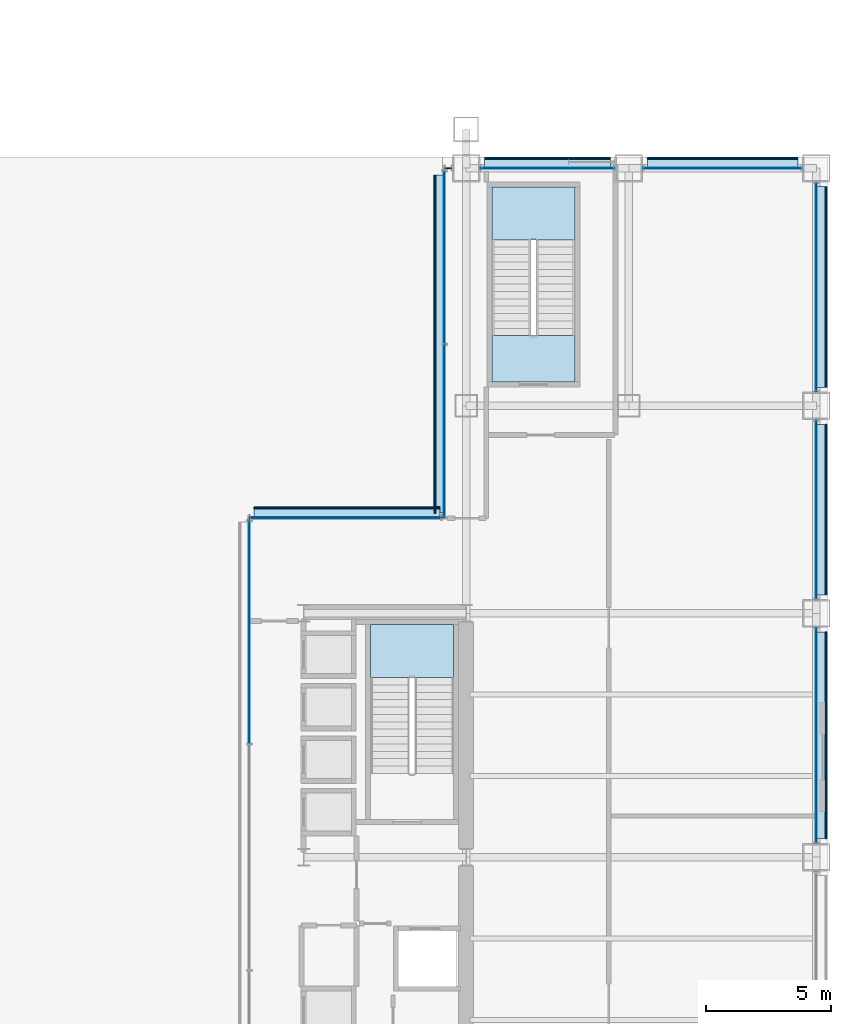
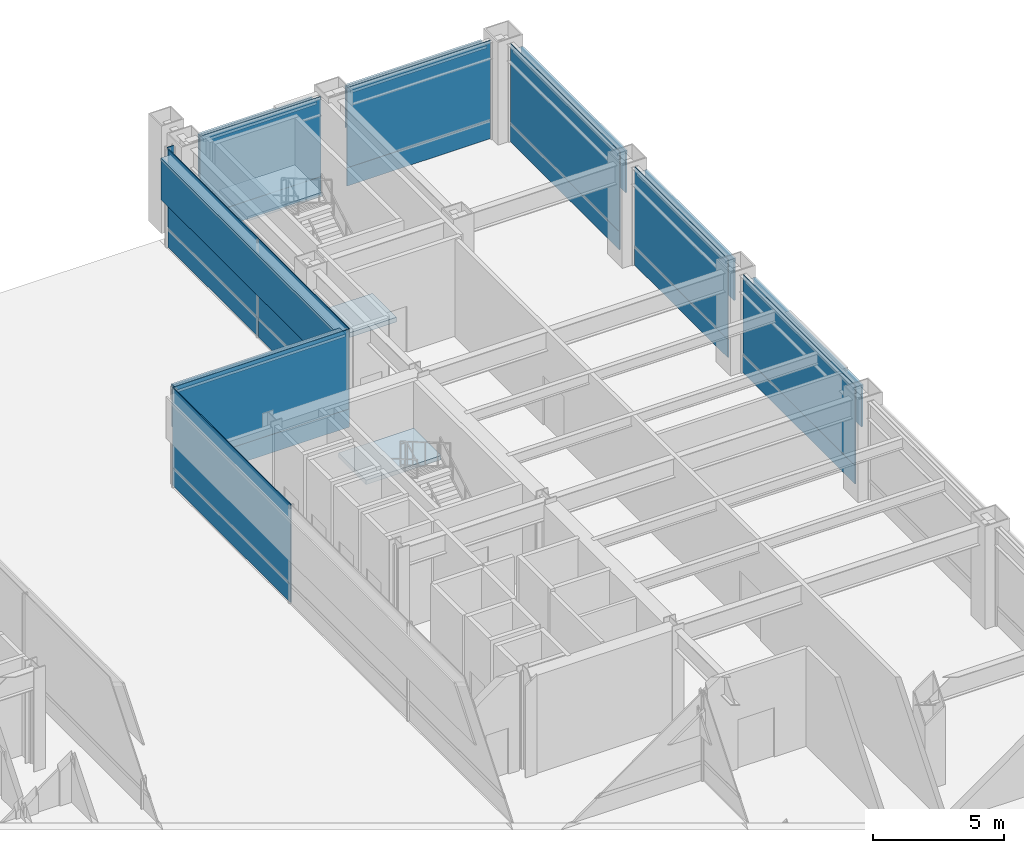
# One storey, part 27 of 37: 33 plates, 3 slabs, 11 elements without a shape of their own.
"""IFC4 building model written with IfcOpenShell, lengths in metres."""

from ifc_helpers import new_model, si_unit, direction, frame, origin, origin_2d, place, context, subcontext, project, spatial, polyline, rectangle, outline, extrude, material, layer, layer_set, type_object, element, aggregate, save


model = new_model("IFC4")

# Units and contexts
model_context = context("Model", 3, precision=1e-05, world=origin(), true_north=direction((0.0, 1.0)))
body_context = subcontext(model_context, "Body", "Model", "MODEL_VIEW")
ifc_project = project(units=[si_unit("LENGTHUNIT", "METRE"), si_unit("AREAUNIT", "SQUARE_METRE"), si_unit("VOLUMEUNIT", "CUBIC_METRE"), si_unit("PLANEANGLEUNIT", "RADIAN"), si_unit("MASSUNIT", "GRAM", prefix="KILO")], contexts=[model_context])

# Site, building, storey
site_placement = place(None, origin())
site = spatial("IfcSite", under=ifc_project, at=site_placement, CompositionType="ELEMENT")
building_placement = place(site_placement, origin())
building = spatial("IfcBuilding", under=site, at=building_placement, Name="Brelmoor Portico Tower", CompositionType="ELEMENT")
storey_placement = place(building_placement, origin())
storey = spatial("IfcBuildingStorey", under=building, at=storey_placement, Name="L00", CompositionType="ELEMENT", Elevation=0.0)

# Curtain wall, plate
ifc_material_1 = material(Name="Anodised Aluminium Alloy 6063-T6", Category="aluminium")
ifc_layer_1 = layer(ifc_material_1, 0.179931640625)
ifc_layer_set_1 = layer_set([ifc_layer_1], Name="Anodised Aluminium Alloy 6063-T6")
curtain_wall_type = type_object("IfcCurtainWallType", Name="CW-PODIUM-ARCH", PredefinedType="NOTDEFINED", material=ifc_layer_set_1)
curtain_wall_1_placement = place(storey_placement, origin())
curtain_wall_1 = element("IfcCurtainWall", 1, at=curtain_wall_1_placement, inside=storey, type_object=curtain_wall_type, Name="L00 Curtain Wall CW-L00-04-1", PredefinedType="NOTDEFINED")
ifc_material_2 = material(Name="Double-Silver Low-E Insulated Glazing", Category="glass")
ifc_layer_2 = layer(ifc_material_2, 0.035888671875)
ifc_layer_set_2 = layer_set([ifc_layer_2], Name="Double-Silver Low-E Insulated Glazing")
plate_type_1 = type_object("IfcPlateType", Name="PT-CW-GLASS", PredefinedType="CURTAIN_PANEL", material=ifc_layer_set_2)
plate_1_placement = place(storey_placement, frame((13.8349609375, 27.550048828125, 0.85009765625), z_axis=(0.0, 0.0, 1.0), x_axis=(1.0, 0.0, 0.0)))
plate_1 = element("IfcPlate", 2, at=plate_1_placement, type_object=plate_type_1, Name="CW-L00-04-1 Vision Glass Panel 00", PredefinedType="CURTAIN_PANEL", context=body_context, shape_type="SweptSolid", body=[
    extrude(rectangle(XDim=0.280029296875, YDim=0.035888671875, at=origin_2d()), origin(), (0.0, 0.0, 1.0), 3.72998046875),
])
aggregate(curtain_wall_1, [plate_1])

curtain_wall_2_placement = place(storey_placement, origin())
curtain_wall_2 = element("IfcCurtainWall", 3, at=curtain_wall_2_placement, inside=storey, type_object=curtain_wall_type, Name="L00 Curtain Wall CW-L00-04-2", PredefinedType="NOTDEFINED")
plate_2_placement = place(storey_placement, frame((17.800048828125, 27.550048828125, 0.85009765625), z_axis=(0.0, 0.0, 1.0), x_axis=(1.0, 0.0, 0.0)))
plate_2 = element("IfcPlate", 4, at=plate_2_placement, type_object=plate_type_1, Name="CW-L00-04-2 Vision Glass Panel 00", PredefinedType="CURTAIN_PANEL", context=body_context, shape_type="SweptSolid", body=[
    extrude(rectangle(XDim=5.35009765625, YDim=0.035888671875, at=origin_2d()), origin(), (0.0, 0.0, 1.0), 3.72998046875),
])

curtain_wall_3_placement = place(storey_placement, origin())
curtain_wall_3 = element("IfcCurtainWall", 5, at=curtain_wall_3_placement, inside=storey, type_object=curtain_wall_type, Name="L00 Curtain Wall CW-L00-04-3", PredefinedType="NOTDEFINED")
plate_3_placement = place(storey_placement, frame((24.800048828125, 27.550048828125, 0.85009765625), z_axis=(0.0, 0.0, 1.0), x_axis=(1.0, 0.0, 0.0)))
plate_3 = element("IfcPlate", 6, at=plate_3_placement, type_object=plate_type_1, Name="CW-L00-04-3 Vision Glass Panel 00", PredefinedType="CURTAIN_PANEL", context=body_context, shape_type="SweptSolid", body=[
    extrude(rectangle(XDim=6.35009765625, YDim=0.035888671875, at=origin_2d()), origin(), (0.0, 0.0, 1.0), 3.72998046875),
])

curtain_wall_4_placement = place(storey_placement, origin())
curtain_wall_4 = element("IfcCurtainWall", 7, at=curtain_wall_4_placement, inside=storey, type_object=curtain_wall_type, Name="L00 Curtain Wall CW-L00-06-4", PredefinedType="NOTDEFINED")
plate_4_placement = place(storey_placement, frame((28.550048828125, 4.875, 0.85009765625), z_axis=(0.0, 0.0, 1.0), x_axis=(0.0, 1.0, 0.0)))
plate_4 = element("IfcPlate", 8, at=plate_4_placement, type_object=plate_type_1, Name="CW-L00-06-4 Vision Glass Panel 00", PredefinedType="CURTAIN_PANEL", context=body_context, shape_type="SweptSolid", body=[
    extrude(rectangle(XDim=8.60009765625, YDim=0.035888671875, at=origin_2d()), origin(), (0.0, 0.0, 1.0), 3.72998046875),
])

curtain_wall_5_placement = place(storey_placement, origin())
curtain_wall_5 = element("IfcCurtainWall", 9, at=curtain_wall_5_placement, inside=storey, type_object=curtain_wall_type, Name="L00 Curtain Wall CW-L00-06-5", PredefinedType="NOTDEFINED")
plate_5_placement = place(storey_placement, frame((28.550048828125, 13.89990234375, 0.85009765625), z_axis=(0.0, 0.0, 1.0), x_axis=(0.0, 1.0, 0.0)))
plate_5 = element("IfcPlate", 10, at=plate_5_placement, type_object=plate_type_1, Name="CW-L00-06-5 Vision Glass Panel 00", PredefinedType="CURTAIN_PANEL", context=body_context, shape_type="SweptSolid", body=[
    extrude(rectangle(XDim=7.14990234375, YDim=0.035888671875, at=origin_2d()), origin(), (0.0, 0.0, 1.0), 3.72998046875),
])

curtain_wall_6_placement = place(storey_placement, origin())
curtain_wall_6 = element("IfcCurtainWall", 11, at=curtain_wall_6_placement, inside=storey, type_object=curtain_wall_type, Name="L00 Curtain Wall CW-L00-06-6", PredefinedType="NOTDEFINED")
plate_6_placement = place(storey_placement, frame((28.550048828125, 22.800048828125, 0.85009765625), z_axis=(0.0, 0.0, 1.0), x_axis=(0.0, 1.0, 0.0)))
plate_6 = element("IfcPlate", 12, at=plate_6_placement, type_object=plate_type_1, Name="CW-L00-06-6 Vision Glass Panel 00", PredefinedType="CURTAIN_PANEL", context=body_context, shape_type="SweptSolid", body=[
    extrude(rectangle(XDim=8.35009765625, YDim=0.035888671875, at=origin_2d()), origin(), (0.0, 0.0, 1.0), 3.72998046875),
])

# Curtain wall, plates
curtain_wall_7_placement = place(storey_placement, origin())
curtain_wall_7 = element("IfcCurtainWall", 13, at=curtain_wall_7_placement, inside=storey, type_object=curtain_wall_type, Name="L00 Curtain Wall CW-L00-10", PredefinedType="NOTDEFINED")
plate_7_placement = place(storey_placement, frame((13.679931640625, 17.047607421875, 0.85009765625), z_axis=(0.0, 0.0, 1.0), x_axis=(0.0, 1.0, 0.0)))
plate_7 = element("IfcPlate", 14, at=plate_7_placement, type_object=plate_type_1, Name="CW-L00-10 Vision Glass Panel 00", PredefinedType="CURTAIN_PANEL", context=body_context, shape_type="SweptSolid", body=[
    extrude(rectangle(XDim=6.905029296875, YDim=0.035888671875, at=origin_2d()), origin(), (0.0, 0.0, 1.0), 3.72998046875),
])
plate_8_placement = place(storey_placement, frame((13.679931640625, 23.982421875, 0.85009765625), z_axis=(0.0, 0.0, 1.0), x_axis=(0.0, 1.0, 0.0)))
plate_8 = element("IfcPlate", 15, at=plate_8_placement, type_object=plate_type_1, Name="CW-L00-10 Vision Glass Panel 01", PredefinedType="CURTAIN_PANEL", context=body_context, shape_type="SweptSolid", body=[
    extrude(rectangle(XDim=6.905029296875, YDim=0.035888671875, at=origin_2d()), origin(), (0.0, 0.0, 1.0), 3.72998046875),
])

# Curtain wall, plate
curtain_wall_8_placement = place(storey_placement, origin())
curtain_wall_8 = element("IfcCurtainWall", 16, at=curtain_wall_8_placement, inside=storey, type_object=curtain_wall_type, Name="L00 Curtain Wall CW-L00-14", PredefinedType="NOTDEFINED")
plate_9_placement = place(storey_placement, frame((9.780029296875, 13.580078125, 0.85009765625), z_axis=(0.0, 0.0, 1.0), x_axis=(1.0, 0.0, 0.0)))
plate_9 = element("IfcPlate", 17, at=plate_9_placement, type_object=plate_type_1, Name="CW-L00-14 Vision Glass Panel 00", PredefinedType="CURTAIN_PANEL", context=body_context, shape_type="SweptSolid", body=[
    extrude(rectangle(XDim=7.77001953125, YDim=0.035888671875, at=origin_2d()), origin(), (0.0, 0.0, 1.0), 3.72998046875),
])

curtain_wall_9_placement = place(storey_placement, origin())
curtain_wall_9 = element("IfcCurtainWall", 18, at=curtain_wall_9_placement, inside=storey, type_object=curtain_wall_type, Name="L00 Curtain Wall CW-L00-16", PredefinedType="NOTDEFINED")
plate_10_placement = place(storey_placement, frame((5.8798828125, 9.05322265625, 0.85009765625), z_axis=(0.0, 0.0, 1.0), x_axis=(0.0, 1.0, 0.0)))
plate_10 = element("IfcPlate", 19, at=plate_10_placement, type_object=plate_type_1, Name="CW-L00-16 Vision Glass Panel 02", PredefinedType="CURTAIN_PANEL", context=body_context, shape_type="SweptSolid", body=[
    extrude(rectangle(XDim=9.023193359375, YDim=0.035888671875, at=origin_2d()), origin(), (0.0, 0.0, 1.0), 3.72998046875),
])

# Plate
ifc_material_3 = material(Name="Pale Champagne Anodised Aluminium Panel", Category="aluminium")
ifc_layer_3 = layer(ifc_material_3, 0.050048828125)
ifc_layer_set_3 = layer_set([ifc_layer_3], Name="Pale Champagne Anodised Aluminium Panel")
plate_type_2 = type_object("IfcPlateType", Name="PT-CW-SPANDREL", PredefinedType="SHEET", material=ifc_layer_set_3)
plate_11_placement = place(storey_placement, frame((17.800048828125, 27.550048828125, 0.0), z_axis=(0.0, 0.0, 1.0), x_axis=(1.0, 0.0, 0.0)))
plate_11 = element("IfcPlate", 20, at=plate_11_placement, type_object=plate_type_2, Name="CW-L00-04-2 Spandrel Panel 00", PredefinedType="SHEET", context=body_context, shape_type="SweptSolid", body=[
    extrude(rectangle(XDim=5.35009765625, YDim=0.050048828125, at=origin_2d()), origin(), (0.0, 0.0, 1.0), 0.85009765625),
])

aggregate(curtain_wall_2, [plate_11, plate_2])

plate_12_placement = place(storey_placement, frame((24.800048828125, 27.550048828125, 0.0), z_axis=(0.0, 0.0, 1.0), x_axis=(1.0, 0.0, 0.0)))
plate_12 = element("IfcPlate", 21, at=plate_12_placement, type_object=plate_type_2, Name="CW-L00-04-3 Spandrel Panel 00", PredefinedType="SHEET", context=body_context, shape_type="SweptSolid", body=[
    extrude(rectangle(XDim=6.35009765625, YDim=0.050048828125, at=origin_2d()), origin(), (0.0, 0.0, 1.0), 0.85009765625),
])

aggregate(curtain_wall_3, [plate_12, plate_3])

plate_13_placement = place(storey_placement, frame((28.550048828125, 4.875, 0.0), z_axis=(0.0, 0.0, 1.0), x_axis=(0.0, 1.0, 0.0)))
plate_13 = element("IfcPlate", 22, at=plate_13_placement, type_object=plate_type_2, Name="CW-L00-06-4 Spandrel Panel 00", PredefinedType="SHEET", context=body_context, shape_type="SweptSolid", body=[
    extrude(rectangle(XDim=8.60009765625, YDim=0.050048828125, at=origin_2d()), origin(), (0.0, 0.0, 1.0), 0.85009765625),
])

aggregate(curtain_wall_4, [plate_13, plate_4])

plate_14_placement = place(storey_placement, frame((28.550048828125, 13.89990234375, 0.0), z_axis=(0.0, 0.0, 1.0), x_axis=(0.0, 1.0, 0.0)))
plate_14 = element("IfcPlate", 23, at=plate_14_placement, type_object=plate_type_2, Name="CW-L00-06-5 Spandrel Panel 00", PredefinedType="SHEET", context=body_context, shape_type="SweptSolid", body=[
    extrude(rectangle(XDim=7.14990234375, YDim=0.050048828125, at=origin_2d()), origin(), (0.0, 0.0, 1.0), 0.85009765625),
])

aggregate(curtain_wall_5, [plate_14, plate_5])

plate_15_placement = place(storey_placement, frame((28.550048828125, 22.800048828125, 0.0), z_axis=(0.0, 0.0, 1.0), x_axis=(0.0, 1.0, 0.0)))
plate_15 = element("IfcPlate", 24, at=plate_15_placement, type_object=plate_type_2, Name="CW-L00-06-6 Spandrel Panel 00", PredefinedType="SHEET", context=body_context, shape_type="SweptSolid", body=[
    extrude(rectangle(XDim=8.35009765625, YDim=0.050048828125, at=origin_2d()), origin(), (0.0, 0.0, 1.0), 0.85009765625),
])

aggregate(curtain_wall_6, [plate_15, plate_6])

plate_16_placement = place(storey_placement, frame((13.679931640625, 17.047607421875, 0.0), z_axis=(0.0, 0.0, 1.0), x_axis=(0.0, 1.0, 0.0)))
plate_16 = element("IfcPlate", 25, at=plate_16_placement, type_object=plate_type_2, Name="CW-L00-10 Spandrel Panel 00", PredefinedType="SHEET", context=body_context, shape_type="SweptSolid", body=[
    extrude(rectangle(XDim=6.905029296875, YDim=0.050048828125, at=origin_2d()), origin(), (0.0, 0.0, 1.0), 0.85009765625),
])

plate_17_placement = place(storey_placement, frame((13.679931640625, 23.982421875, 0.0), z_axis=(0.0, 0.0, 1.0), x_axis=(0.0, 1.0, 0.0)))
plate_17 = element("IfcPlate", 26, at=plate_17_placement, type_object=plate_type_2, Name="CW-L00-10 Spandrel Panel 01", PredefinedType="SHEET", context=body_context, shape_type="SweptSolid", body=[
    extrude(rectangle(XDim=6.905029296875, YDim=0.050048828125, at=origin_2d()), origin(), (0.0, 0.0, 1.0), 0.85009765625),
])

aggregate(curtain_wall_7, [plate_16, plate_7, plate_17, plate_8])

plate_18_placement = place(storey_placement, frame((9.780029296875, 13.580078125, 0.0), z_axis=(0.0, 0.0, 1.0), x_axis=(1.0, 0.0, 0.0)))
plate_18 = element("IfcPlate", 27, at=plate_18_placement, type_object=plate_type_2, Name="CW-L00-14 Spandrel Panel 00", PredefinedType="SHEET", context=body_context, shape_type="SweptSolid", body=[
    extrude(rectangle(XDim=7.77001953125, YDim=0.050048828125, at=origin_2d()), origin(), (0.0, 0.0, 1.0), 0.85009765625),
])

aggregate(curtain_wall_8, [plate_18, plate_9])

plate_19_placement = place(storey_placement, frame((5.8798828125, 9.05322265625, 0.0), z_axis=(0.0, 0.0, 1.0), x_axis=(0.0, 1.0, 0.0)))
plate_19 = element("IfcPlate", 28, at=plate_19_placement, type_object=plate_type_2, Name="CW-L00-16 Spandrel Panel 02", PredefinedType="SHEET", context=body_context, shape_type="SweptSolid", body=[
    extrude(rectangle(XDim=9.023193359375, YDim=0.050048828125, at=origin_2d()), origin(), (0.0, 0.0, 1.0), 0.85009765625),
])

aggregate(curtain_wall_9, [plate_19, plate_10])

# Plates
ifc_material_4 = material(Name="Powder-Coated Aluminium Shuttered Jalousie Louvre", Category="aluminium")
ifc_layer_4 = layer(ifc_material_4, 0.06005859375)
ifc_layer_set_4 = layer_set([ifc_layer_4], Name="Powder-Coated Aluminium Shuttered Jalousie Louvre")
plate_type_3 = type_object("IfcPlateType", Name="PT-JALOUSIE-SHUTTER", PredefinedType="SHEET", material=ifc_layer_set_4)
plate_20_placement = place(storey_placement, frame((17.800048828125, 27.929931640625, 2.4404296875), z_axis=(0.0, 0.0, 1.0), x_axis=(1.0, 0.0, 0.0)))
element("IfcPlate", 29, at=plate_20_placement, inside=storey, type_object=plate_type_3, Name="CW-L00-04-2 Perforated Jalousie Solar Screen", PredefinedType="SHEET", context=body_context, shape_type="SweptSolid", body=[
    extrude(rectangle(XDim=5.02001953125, YDim=0.06494140625, at=origin_2d()), origin(), (0.0, 0.0, 1.0), 1.939697265625),
])
plate_21_placement = place(storey_placement, frame((24.800048828125, 27.929931640625, 2.4404296875), z_axis=(0.0, 0.0, 1.0), x_axis=(1.0, 0.0, 0.0)))
element("IfcPlate", 30, at=plate_21_placement, inside=storey, type_object=plate_type_3, Name="CW-L00-04-3 Perforated Jalousie Solar Screen", PredefinedType="SHEET", context=body_context, shape_type="SweptSolid", body=[
    extrude(rectangle(XDim=6.02001953125, YDim=0.06494140625, at=origin_2d()), origin(), (0.0, 0.0, 1.0), 1.939697265625),
])
plate_22_placement = place(storey_placement, frame((28.929931640625, 4.875, 2.4404296875), z_axis=(0.0, 0.0, 1.0), x_axis=(0.0, 1.0, 0.0)))
element("IfcPlate", 31, at=plate_22_placement, inside=storey, type_object=plate_type_3, Name="CW-L00-06-4 Perforated Jalousie Solar Screen", PredefinedType="SHEET", context=body_context, shape_type="SweptSolid", body=[
    extrude(rectangle(XDim=8.27001953125, YDim=0.06494140625, at=origin_2d()), origin(), (0.0, 0.0, 1.0), 1.939697265625),
])
plate_23_placement = place(storey_placement, frame((28.929931640625, 13.89990234375, 2.4404296875), z_axis=(0.0, 0.0, 1.0), x_axis=(0.0, 1.0, 0.0)))
element("IfcPlate", 32, at=plate_23_placement, inside=storey, type_object=plate_type_3, Name="CW-L00-06-5 Perforated Jalousie Solar Screen", PredefinedType="SHEET", context=body_context, shape_type="SweptSolid", body=[
    extrude(rectangle(XDim=6.820068359375, YDim=0.06494140625, at=origin_2d()), origin(), (0.0, 0.0, 1.0), 1.939697265625),
])
plate_24_placement = place(storey_placement, frame((28.929931640625, 22.800048828125, 2.4404296875), z_axis=(0.0, 0.0, 1.0), x_axis=(0.0, 1.0, 0.0)))
element("IfcPlate", 33, at=plate_24_placement, inside=storey, type_object=plate_type_3, Name="CW-L00-06-6 Perforated Jalousie Solar Screen", PredefinedType="SHEET", context=body_context, shape_type="SweptSolid", body=[
    extrude(rectangle(XDim=8.02001953125, YDim=0.06494140625, at=origin_2d()), origin(), (0.0, 0.0, 1.0), 1.939697265625),
])
plate_25_placement = place(storey_placement, frame((13.300048828125, 20.514892578125, 2.4404296875), z_axis=(0.0, 0.0, 1.0), x_axis=(0.0, 1.0, 0.0)))
element("IfcPlate", 34, at=plate_25_placement, inside=storey, type_object=plate_type_3, Name="CW-L00-10 Perforated Jalousie Solar Screen", PredefinedType="SHEET", context=body_context, shape_type="SweptSolid", body=[
    extrude(rectangle(XDim=13.510009765625, YDim=0.06494140625, at=origin_2d()), origin(), (0.0, 0.0, 1.0), 1.939697265625),
])
plate_26_placement = place(storey_placement, frame((9.780029296875, 13.9599609375, 2.4404296875), z_axis=(0.0, 0.0, 1.0), x_axis=(1.0, 0.0, 0.0)))
element("IfcPlate", 35, at=plate_26_placement, inside=storey, type_object=plate_type_3, Name="CW-L00-14 Perforated Jalousie Solar Screen", PredefinedType="SHEET", context=body_context, shape_type="SweptSolid", body=[
    extrude(rectangle(XDim=7.43994140625, YDim=0.06494140625, at=origin_2d()), origin(), (0.0, 0.0, 1.0), 1.939697265625),
])
ifc_material_5 = material(Name="Pale Champagne Perforated Aluminium Solar Screen", Category="aluminium")
ifc_layer_5 = layer(ifc_material_5, 0.054931640625)
ifc_layer_set_5 = layer_set([ifc_layer_5], Name="Pale Champagne Perforated Aluminium Solar Screen")
plate_type_4 = type_object("IfcPlateType", Name="PT-SOLAR-LOUVRE", PredefinedType="SHEET", material=ifc_layer_set_5)
plate_27_placement = place(storey_placement, frame((17.800048828125, 27.760009765625, 4.27001953125), z_axis=(0.0, 0.0, 1.0), x_axis=(1.0, 0.0, 0.0)))
element("IfcPlate", 36, at=plate_27_placement, inside=storey, type_object=plate_type_4, Name="CW-L00-04-2 Caribbean Brise-Soleil Solar Screen", PredefinedType="SHEET", context=body_context, shape_type="SweptSolid", body=[
    extrude(rectangle(XDim=5.02001953125, YDim=0.4599609375, at=origin_2d()), origin(), (0.0, 0.0, 1.0), 0.139892578125),
])
plate_28_placement = place(storey_placement, frame((24.800048828125, 27.760009765625, 4.27001953125), z_axis=(0.0, 0.0, 1.0), x_axis=(1.0, 0.0, 0.0)))
element("IfcPlate", 37, at=plate_28_placement, inside=storey, type_object=plate_type_4, Name="CW-L00-04-3 Caribbean Brise-Soleil Solar Screen", PredefinedType="SHEET", context=body_context, shape_type="SweptSolid", body=[
    extrude(rectangle(XDim=6.02001953125, YDim=0.4599609375, at=origin_2d()), origin(), (0.0, 0.0, 1.0), 0.139892578125),
])
plate_29_placement = place(storey_placement, frame((28.760009765625, 4.875, 4.27001953125), z_axis=(0.0, 0.0, 1.0), x_axis=(0.0, 1.0, 0.0)))
element("IfcPlate", 38, at=plate_29_placement, inside=storey, type_object=plate_type_4, Name="CW-L00-06-4 Caribbean Brise-Soleil Solar Screen", PredefinedType="SHEET", context=body_context, shape_type="SweptSolid", body=[
    extrude(rectangle(XDim=8.27001953125, YDim=0.4599609375, at=origin_2d()), origin(), (0.0, 0.0, 1.0), 0.139892578125),
])
plate_30_placement = place(storey_placement, frame((28.760009765625, 13.89990234375, 4.27001953125), z_axis=(0.0, 0.0, 1.0), x_axis=(0.0, 1.0, 0.0)))
element("IfcPlate", 39, at=plate_30_placement, inside=storey, type_object=plate_type_4, Name="CW-L00-06-5 Caribbean Brise-Soleil Solar Screen", PredefinedType="SHEET", context=body_context, shape_type="SweptSolid", body=[
    extrude(rectangle(XDim=6.820068359375, YDim=0.4599609375, at=origin_2d()), origin(), (0.0, 0.0, 1.0), 0.139892578125),
])
plate_31_placement = place(storey_placement, frame((28.760009765625, 22.800048828125, 4.27001953125), z_axis=(0.0, 0.0, 1.0), x_axis=(0.0, 1.0, 0.0)))
element("IfcPlate", 40, at=plate_31_placement, inside=storey, type_object=plate_type_4, Name="CW-L00-06-6 Caribbean Brise-Soleil Solar Screen", PredefinedType="SHEET", context=body_context, shape_type="SweptSolid", body=[
    extrude(rectangle(XDim=8.02001953125, YDim=0.4599609375, at=origin_2d()), origin(), (0.0, 0.0, 1.0), 0.139892578125),
])
plate_32_placement = place(storey_placement, frame((13.469970703125, 20.514892578125, 4.27001953125), z_axis=(0.0, 0.0, 1.0), x_axis=(0.0, 1.0, 0.0)))
element("IfcPlate", 41, at=plate_32_placement, inside=storey, type_object=plate_type_4, Name="CW-L00-10 Caribbean Brise-Soleil Solar Screen", PredefinedType="SHEET", context=body_context, shape_type="SweptSolid", body=[
    extrude(rectangle(XDim=13.510009765625, YDim=0.4599609375, at=origin_2d()), origin(), (0.0, 0.0, 1.0), 0.139892578125),
])
plate_33_placement = place(storey_placement, frame((9.780029296875, 13.7900390625, 4.27001953125), z_axis=(0.0, 0.0, 1.0), x_axis=(1.0, 0.0, 0.0)))
element("IfcPlate", 42, at=plate_33_placement, inside=storey, type_object=plate_type_4, Name="CW-L00-14 Caribbean Brise-Soleil Solar Screen", PredefinedType="SHEET", context=body_context, shape_type="SweptSolid", body=[
    extrude(rectangle(XDim=7.43994140625, YDim=0.4599609375, at=origin_2d()), origin(), (0.0, 0.0, 1.0), 0.139892578125),
])

# Stair, slab
ifc_material_6 = material(Name="Concrete C40", Category="concrete")
stair_type_1 = type_object("IfcStairType", Name="ST-CORE-E", PredefinedType="HALF_TURN_STAIR", material=ifc_material_6)
stair_1_placement = place(storey_placement, origin())
stair_1 = element("IfcStair", 43, at=stair_1_placement, inside=storey, type_object=stair_type_1, Name="L00 Protected Core Exit Stair ST-E", PredefinedType="HALF_TURN_STAIR")
ifc_layer_6 = layer(ifc_material_6, 0.179931640625)
ifc_layer_set_6 = layer_set([ifc_layer_6], Name="Concrete C40")
slab_type_1 = type_object("IfcSlabType", Name="SL-LANDING-180", PredefinedType="LANDING", material=ifc_layer_set_6)
slab_1_placement = place(storey_placement, frame((0.0, 0.0, 2.199951171875)))
slab_1 = element("IfcSlab", 44, at=slab_1_placement, type_object=slab_type_1, Name="ST-E landing 1", PredefinedType="LANDING", context=body_context, shape_type="SweptSolid", body=[
    extrude(outline(polyline([(14.050048828125, 7.18505859375), (14.050048828125, 9.300048828125), (10.72998046875, 9.300048828125), (10.72998046875, 7.18505859375), (14.050048828125, 7.18505859375)])), origin(), (0.0, 0.0, 1.0), 0.199951171875),
])
aggregate(stair_1, [slab_1])

stair_type_2 = type_object("IfcStairType", Name="ST-POD-P2", PredefinedType="HALF_TURN_STAIR", material=ifc_material_6)
stair_2_placement = place(storey_placement, origin())
stair_2 = element("IfcStair", 45, at=stair_2_placement, inside=storey, type_object=stair_type_2, Name="L00 Podium Protected Exit Stair ST-P2", PredefinedType="HALF_TURN_STAIR")
slab_2_placement = place(storey_placement, frame((0.0, 0.0, 2.199951171875)))
slab_2 = element("IfcSlab", 46, at=slab_2_placement, type_object=slab_type_1, Name="ST-P2 landing 1", PredefinedType="LANDING", context=body_context, shape_type="SweptSolid", body=[
    extrude(outline(polyline([(18.89990234375, 24.68505859375), (18.89990234375, 26.800048828125), (15.580078125, 26.800048828125), (15.580078125, 24.68505859375), (18.89990234375, 24.68505859375)])), origin(), (0.0, 0.0, 1.0), 0.199951171875),
])
aggregate(stair_2, [slab_2])

# Slab
ifc_layer_7 = layer(ifc_material_6, 0.219970703125)
ifc_layer_set_7 = layer_set([ifc_layer_7], Name="Concrete C40")
slab_type_2 = type_object("IfcSlabType", Name="SL-STAIR-FL220", PredefinedType="LANDING", material=ifc_layer_set_7)
slab_3_placement = place(storey_placement, frame((0.0, 0.0, -0.219970703125)))
element("IfcSlab", 47, at=slab_3_placement, inside=storey, type_object=slab_type_2, Name="L00 ST-P2 Structural Floor Landing Slab", PredefinedType="LANDING", context=body_context, shape_type="SweptSolid", body=[
    extrude(outline(polyline([(18.89990234375, 19.0), (18.89990234375, 20.85009765625), (15.580078125, 20.85009765625), (15.580078125, 19.0), (18.89990234375, 19.0)])), origin(), (0.0, 0.0, 1.0), 0.219970703125),
])

save(model, "model.ifc")
